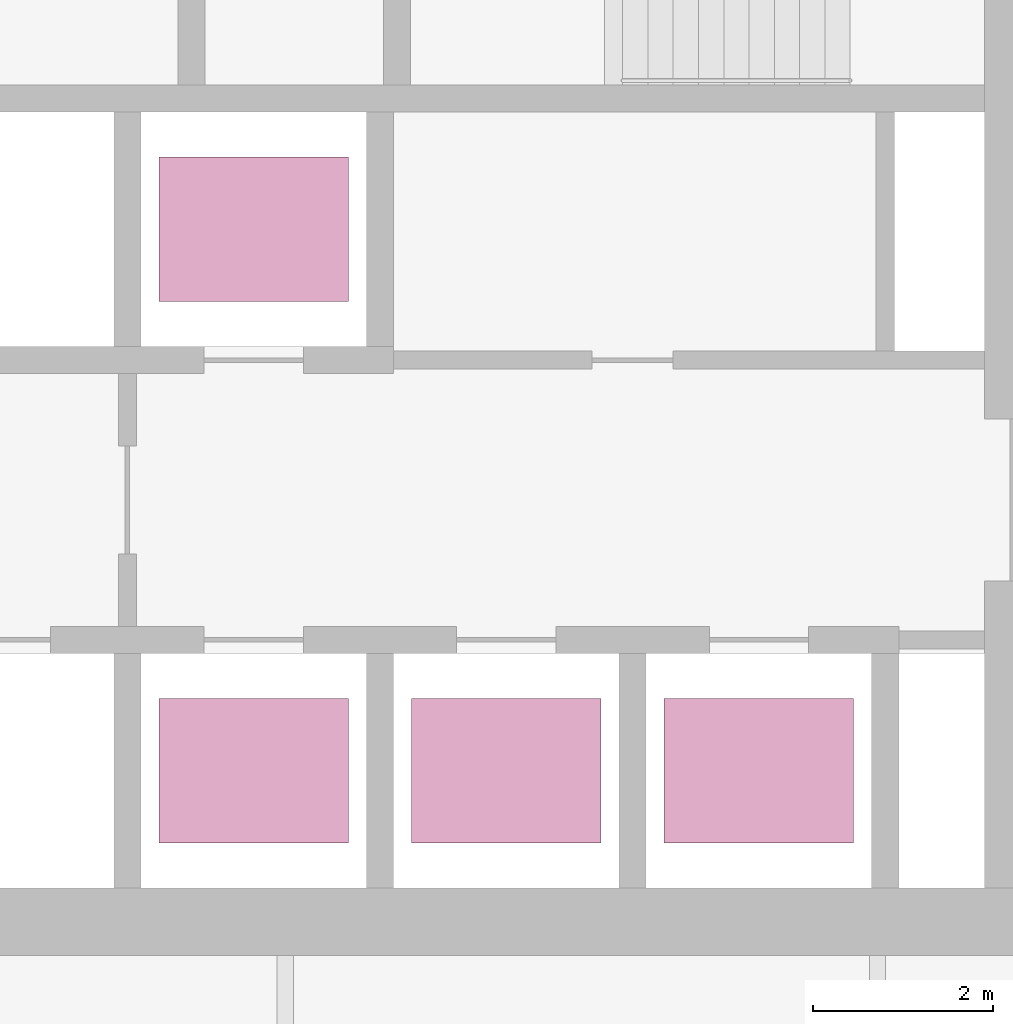
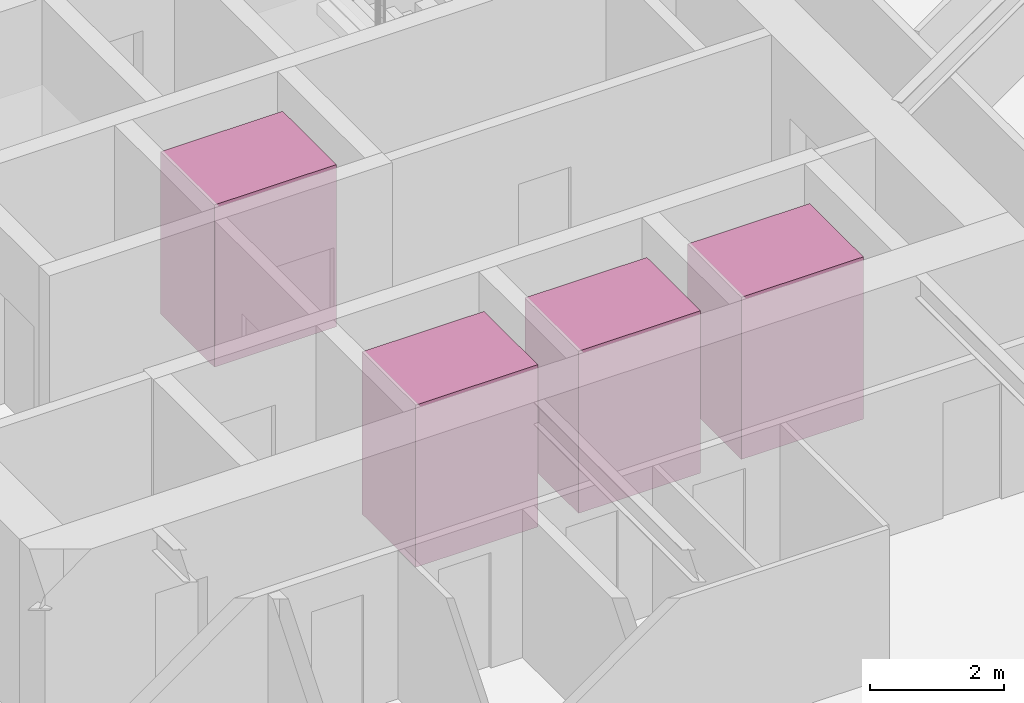
# One storey, part 25 of 25: 4 transport elements.
"""IFC4 building model written with IfcOpenShell, lengths in metres."""

import ifcopenshell
import ifcopenshell.guid

model = None  # the IFC model being written
_history = None  # IfcOwnerHistory: only IFC2X3 demands one
_inside = {}  # id of a spatial element -> (the spatial element, [elements in it])
_under = {}  # id of a project, library or spatial element -> (it, [spatial elements below it])
_declared = {}  # id of a project -> (the project, [libraries it declares])
_typed = {}  # id of a type object -> (the type object, [elements of that type])
_made_of = {}  # id of a material, layer set ... -> (it, [elements and type objects made of it])


def new_model(schema):
    """Start an empty IFC model of exactly this schema.

    Asked for "IFC4X3", IfcOpenShell would pick the latest addendum, in which some entities
    have other attributes; the version numbers below select the first issue.
    IFC2X3 requires an IfcOwnerHistory on every rooted entity: one is made here for all.
    """
    global model, _history
    if schema == "IFC4X3":
        model = ifcopenshell.file(schema_version=(4, 3, 0, 0))
    else:
        model = ifcopenshell.file(schema=schema)
    _inside.clear()
    _under.clear()
    _declared.clear()
    _typed.clear()
    _made_of.clear()
    _history = None
    if model.schema == "IFC2X3":
        org = make("IfcOrganization", Name="unknown")
        user = make(
            "IfcPersonAndOrganization",
            ThePerson=make("IfcPerson", FamilyName="unknown"),
            TheOrganization=org,
        )
        app = make(
            "IfcApplication",
            ApplicationDeveloper=org,
            Version="unknown",
            ApplicationFullName="unknown",
            ApplicationIdentifier="unknown",
        )
        _history = make(
            "IfcOwnerHistory",
            OwningUser=user,
            OwningApplication=app,
            ChangeAction="ADDED",
            CreationDate=0,
        )
    return model


def make(cls, **values):
    """One entity of the class cls with the attributes given. An attribute that is None is left unset."""
    return model.create_entity(
        cls, **{name: value for name, value in values.items() if value is not None}
    )


def rooted(cls, **values):
    """An entity with a GlobalId (a new one), such as an element, a storey or a relation."""
    return make(cls, GlobalId=ifcopenshell.guid.new(), OwnerHistory=_history, **values)


def si_unit(unit_type, name, prefix=None):
    """IfcSIUnit, for example si_unit("LENGTHUNIT", "METRE", prefix="MILLI")."""
    return make("IfcSIUnit", UnitType=unit_type, Prefix=prefix, Name=name)


def assignment(units):
    """IfcUnitAssignment: the units of a project."""
    return None if units is None else make("IfcUnitAssignment", Units=units)


def point(xyz):
    """IfcCartesianPoint."""
    return None if xyz is None else make("IfcCartesianPoint", Coordinates=xyz)


def direction(xyz):
    """IfcDirection."""
    return None if xyz is None else make("IfcDirection", DirectionRatios=xyz)


def frame(location, z_axis=None, x_axis=None):
    """IfcAxis2Placement3D, a coordinate frame: its origin and axes. An axis left out is left unset."""
    return make(
        "IfcAxis2Placement3D",
        Location=point(location),
        Axis=direction(z_axis),
        RefDirection=direction(x_axis),
    )


def frame_2d(location, x_axis=None):
    """IfcAxis2Placement2D, a coordinate frame in the plane: its origin and x axis."""
    return make(
        "IfcAxis2Placement2D", Location=point(location), RefDirection=direction(x_axis)
    )


def origin():
    """The frame at (0, 0, 0) with its axes left unset."""
    return frame((0.0, 0.0, 0.0))


def origin_2d():
    """The frame at (0, 0) in the plane with its x axis left unset."""
    return frame_2d((0.0, 0.0))


def place(relative_to, where):
    """IfcLocalPlacement: puts the frame where relative to a parent placement (None: the world)."""
    return make(
        "IfcLocalPlacement", PlacementRelTo=relative_to, RelativePlacement=where
    )


def context(
    kind, dimensions, precision=None, world=None, true_north=None, identifier=None
):
    """IfcGeometricRepresentationContext, for example the 3D "Model" context."""
    return make(
        "IfcGeometricRepresentationContext",
        ContextIdentifier=identifier,
        ContextType=kind,
        CoordinateSpaceDimension=dimensions,
        Precision=precision,
        WorldCoordinateSystem=world,
        TrueNorth=true_north,
    )


def subcontext(parent, identifier, kind, view, scale=None):
    """IfcGeometricRepresentationSubContext, for example "Body" below "Model"."""
    return make(
        "IfcGeometricRepresentationSubContext",
        ContextIdentifier=identifier,
        ContextType=kind,
        ParentContext=parent,
        TargetScale=scale,
        TargetView=view,
    )


def project(units=None, contexts=None):
    """IfcProject with its units and contexts."""
    return rooted(
        "IfcProject",
        Name="project",
        RepresentationContexts=contexts,
        UnitsInContext=assignment(units),
    )


def spatial(cls, under=None, at=None, **own):
    """A site, building, storey or space (cls), placed at a placement, below another one or the project."""
    s = rooted(cls, ObjectPlacement=at, **own)
    if under is not None:
        _under.setdefault(under.id(), (under, []))[1].append(s)
    return s


def profile(cls, at=None, kind="AREA", **sizes):
    """A parametric profile (cls). Its sizes go by their IFC names, for example OverallWidth=200.0."""
    return make(cls, ProfileType=kind, Position=at, **sizes)


def rectangle(**sizes):
    """IfcRectangleProfileDef."""
    return profile("IfcRectangleProfileDef", **sizes)


def extrude(swept, where, along, depth):
    """IfcExtrudedAreaSolid: the profile swept, set in the frame where, extruded along a direction by depth."""
    return make(
        "IfcExtrudedAreaSolid",
        SweptArea=swept,
        Position=where,
        ExtrudedDirection=direction(along),
        Depth=depth,
    )


def shape(context_of_items, identifier, shape_type, items):
    """IfcShapeRepresentation: the items that make up one representation, for example the "Body"."""
    return make(
        "IfcShapeRepresentation",
        ContextOfItems=context_of_items,
        RepresentationIdentifier=identifier,
        RepresentationType=shape_type,
        Items=items,
    )


def material(Name=None, Category=None):
    """IfcMaterial."""
    return make("IfcMaterial", Name=Name, Category=Category)


def made_of(thing, what):
    """Note that an element or type object is made of a material, layer set ...; save() writes the relation."""
    if what is not None:
        _made_of.setdefault(what.id(), (what, []))[1].append(thing)
    return thing


def type_object(cls, material=None, **own):
    """A type object (cls), such as IfcWallType, which elements share."""
    return made_of(rooted(cls, **own), material)


def element(
    cls,
    number,
    at=None,
    inside=None,
    cuts=None,
    type_object=None,
    material=None,
    context=None,
    identifier="Body",
    shape_type=None,
    held_by="IfcProductDefinitionShape",
    body=None,
    shapes=None,
    **own,
):
    """One element of the class cls, such as IfcWall. Its Tag is "e" and its number.

    at: its placement. inside: the storey or other place that contains it. cuts: it is an
    opening in that element (IfcRelVoidsElement). A single representation is given by context,
    identifier, shape_type and body (its items); several are given by shapes. held_by: the class
    of the entity that holds the representations. save() writes the other relations.
    """
    e = rooted(cls, Tag="e%d" % number, ObjectPlacement=at, **own)
    if body is not None:
        shapes = [shape(context, identifier, shape_type, body)]
    if shapes is not None:
        e.Representation = make(held_by, Representations=shapes)
    if inside is not None:
        _inside.setdefault(inside.id(), (inside, []))[1].append(e)
    if cuts is not None:
        rooted(
            "IfcRelVoidsElement", RelatingBuildingElement=cuts, RelatedOpeningElement=e
        )
    if type_object is not None:
        _typed.setdefault(type_object.id(), (type_object, []))[1].append(e)
    return made_of(e, material)


def aggregate(whole, parts):
    """IfcRelAggregates: a whole, such as a stair, and the parts it consists of."""
    return rooted("IfcRelAggregates", RelatingObject=whole, RelatedObjects=parts)


def save(model, path):
    """Write the relations noted so far, then the file.

    IfcRelAggregates (storeys below a building ...), IfcRelContainedInSpatialStructure (elements
    in a storey), IfcRelDefinesByType, IfcRelAssociatesMaterial and IfcRelDeclares: one each for
    every whole, place, type object, material and project.
    """
    for whole, parts in _under.values():
        aggregate(whole, parts)
    for where, things in _inside.values():
        rooted(
            "IfcRelContainedInSpatialStructure",
            RelatedElements=things,
            RelatingStructure=where,
        )
    for kind, things in _typed.values():
        rooted("IfcRelDefinesByType", RelatedObjects=things, RelatingType=kind)
    for what, things in _made_of.values():
        rooted("IfcRelAssociatesMaterial", RelatedObjects=things, RelatingMaterial=what)
    for by, libraries in _declared.values():
        rooted("IfcRelDeclares", RelatingContext=by, RelatedDefinitions=libraries)
    model.write(path)


model = new_model("IFC4")

# Units and contexts
model_context = context("Model", 3, precision=1e-05, world=origin(), true_north=direction((0.0, 1.0)))
body_context = subcontext(model_context, "Body", "Model", "MODEL_VIEW")
ifc_project = project(units=[si_unit("LENGTHUNIT", "METRE"), si_unit("AREAUNIT", "SQUARE_METRE"), si_unit("VOLUMEUNIT", "CUBIC_METRE"), si_unit("PLANEANGLEUNIT", "RADIAN"), si_unit("MASSUNIT", "GRAM", prefix="KILO")], contexts=[model_context])

# Site, building, storey
site_placement = place(None, origin())
site = spatial("IfcSite", under=ifc_project, at=site_placement, CompositionType="ELEMENT")
building_placement = place(site_placement, origin())
building = spatial("IfcBuilding", under=site, at=building_placement, Name="Firuza Gate Tower and Library", CompositionType="ELEMENT")
storey_placement = place(building_placement, frame((0.0, 0.0, 270.60009765625)))
storey = spatial("IfcBuildingStorey", under=building, at=storey_placement, Name="L64", CompositionType="ELEMENT", Elevation=270.60009765625)

# Transport elements
ifc_material = material(Name="Stainless steel and glass", Category="steel")
transport_element_type = type_object("IfcTransportElementType", Name="High-rise lift car 2100x1600", PredefinedType="ELEVATOR", material=ifc_material)
for number, where, z_axis, x_axis, name in (
    (1, (74.64990234375, 70.300048828125, 0.0), (0.0, 0.0, 1.0), (1.0, 0.0, 0.0), "High-rise lift HR1"),
    (2, (77.449951171875, 70.300048828125, 0.0), (0.0, 0.0, 1.0), (1.0, 0.0, 0.0), "High-rise lift HR2"),
    (3, (80.25, 70.300048828125, 0.0), (0.0, 0.0, 1.0), (1.0, 0.0, 0.0), "High-rise lift HR3"),
    (4, (74.64990234375, 76.300048828125, 0.0), (0.0, 0.0, 1.0), (1.0, 0.0, 0.0), "High-rise lift HR4"),
):
    element("IfcTransportElement", number, at=place(storey_placement, frame(where, z_axis=z_axis, x_axis=x_axis)), inside=storey, type_object=transport_element_type, Name=name, PredefinedType="ELEVATOR", context=body_context, shape_type="SweptSolid", body=[
        extrude(rectangle(XDim=2.10009765625, YDim=1.60009765625, at=origin_2d()), origin(), (0.0, 0.0, 1.0), 2.949951171875),
    ])

save(model, "model.ifc")
